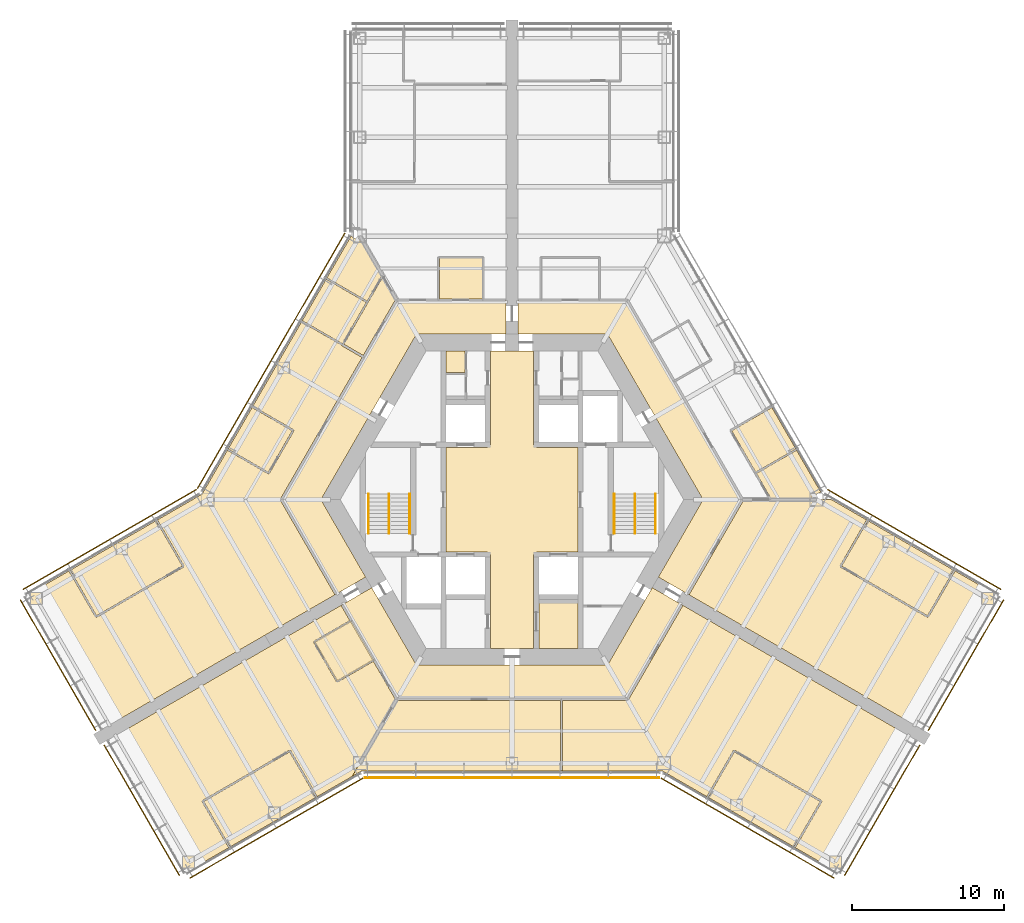
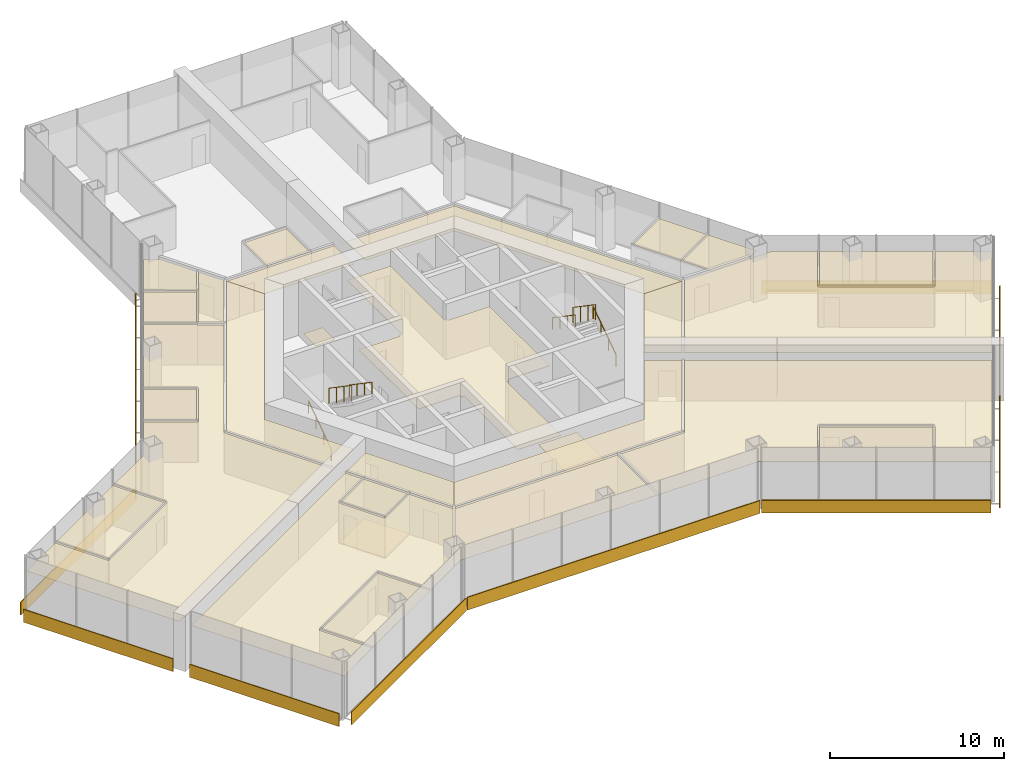
# One storey, part 17 of 18: 27 coverings, 10 shading devices, 6 railings.
"""IFC4 building model written with IfcOpenShell, lengths in metres."""

from ifc_helpers import new_model, si_unit, direction, frame, origin, origin_2d, place, context, subcontext, project, spatial, polyline, rectangle, circle, outline, extrude, material, layer, layer_set, type_object, element, save


model = new_model("IFC4")

# Units and contexts
model_context = context("Model", 3, precision=1e-05, world=origin(), true_north=direction((0.0, 1.0)))
body_context = subcontext(model_context, "Body", "Model", "MODEL_VIEW")
ifc_project = project(units=[si_unit("LENGTHUNIT", "METRE"), si_unit("AREAUNIT", "SQUARE_METRE"), si_unit("VOLUMEUNIT", "CUBIC_METRE"), si_unit("PLANEANGLEUNIT", "RADIAN"), si_unit("MASSUNIT", "GRAM", prefix="KILO")], contexts=[model_context])

# Site, building, storey
site_placement = place(None, origin())
site = spatial("IfcSite", under=ifc_project, at=site_placement, CompositionType="ELEMENT")
building_placement = place(site_placement, origin())
building = spatial("IfcBuilding", under=site, at=building_placement, Name="Kasaneha Research Tower", CompositionType="ELEMENT")
storey_placement = place(building_placement, frame((0.0, 0.0, 69.0)))
storey = spatial("IfcBuildingStorey", under=building, at=storey_placement, Name="L17", CompositionType="ELEMENT", Elevation=69.0)

# Covering
ifc_material_1 = material(Name="Aluminium panel ceiling", Category="aluminium")
ifc_layer_1 = layer(ifc_material_1, 0.0400390625)
ifc_layer_set_1 = layer_set([ifc_layer_1], Name="Lift lobby ceiling 40")
covering_type_1 = type_object("IfcCoveringType", Name="Lift lobby ceiling 40", PredefinedType="CEILING", material=ifc_layer_set_1)
covering_1_placement = place(storey_placement, frame((0.0, 0.0, 2.699951171875)))
element("IfcCovering", 1, at=covering_1_placement, inside=storey, type_object=covering_type_1, Name="Ceiling L17-01", PredefinedType="CEILING", context=body_context, shape_type="SweptSolid", body=[
    extrude(outline(polyline([(1.425048828125, 9.77490234375), (1.425048828125, 3.60009765625), (1.60009765625, 3.60009765625), (1.60009765625, 3.425048828125), (4.324951171875, 3.425048828125), (4.324951171875, -3.425048828125), (1.60009765625, -3.425048828125), (1.60009765625, -3.60009765625), (1.425048828125, -3.60009765625), (1.425048828125, -9.77490234375), (-1.425048828125, -9.77490234375), (-1.425048828125, -3.60009765625), (-1.60009765625, -3.60009765625), (-1.60009765625, -3.425048828125), (-4.324951171875, -3.425048828125), (-4.324951171875, 3.425048828125), (-1.60009765625, 3.425048828125), (-1.60009765625, 3.60009765625), (-1.425048828125, 3.60009765625), (-1.425048828125, 9.77490234375), (1.425048828125, 9.77490234375)])), origin(), (0.0, 0.0, 1.0), 0.0400390625),
])

# Railings
ifc_material_2 = material(Name="Steel", Category="steel")
railing_type_1 = type_object("IfcRailingType", Name="Stair balustrade 1100", PredefinedType="GUARDRAIL", material=ifc_material_2)
for number, where, name in (
    (2, (8.074951171875, 0.375, 2.127197265625), "Stair 1 balustrade L17"),
    (3, (-8.074951171875, 0.375, 2.127197265625), "Stair 2 balustrade L17"),
):
    element("IfcRailing", number, at=place(storey_placement, frame(where)), inside=storey, type_object=railing_type_1, Name=name, PredefinedType="GUARDRAIL", context=body_context, shape_type="SweptSolid", body=[
        extrude(circle(Radius=0.02392578125, at=origin_2d()), frame((0.0, 0.0, 1.076171875), z_axis=(0.0, -0.826240473404, 0.563317565952), x_axis=(1.0, 0.0, 0.0)), (0.0, 0.0, 1.0), 3.14697265625),
        extrude(circle(Radius=0.02099609375, at=origin_2d()), origin(), (0.0, 0.0, 1.0), 1.052001953125),
        extrude(circle(Radius=0.02099609375, at=origin_2d()), frame((0.0, -0.86669921875, 0.5908203125)), (0.0, 0.0, 1.0), 1.052001953125),
        extrude(circle(Radius=0.02099609375, at=origin_2d()), frame((0.0, -1.7333984375, 1.181884765625)), (0.0, 0.0, 1.0), 1.052001953125),
        extrude(circle(Radius=0.02099609375, at=origin_2d()), frame((0.0, -2.60009765625, 1.772705078125)), (0.0, 0.0, 1.0), 1.052001953125),
    ])
ifc_material_3 = material(Name="Steel", Category="steel")
railing_type_2 = type_object("IfcRailingType", Name="Stair handrail 850", PredefinedType="HANDRAIL", material=ifc_material_3)
railing_1_placement = place(storey_placement, frame((9.425048828125, -2.22509765625, 0.17724609375)))
element("IfcRailing", 4, at=railing_1_placement, inside=storey, type_object=railing_type_2, Name="Stair 1 handrail L17", PredefinedType="HANDRAIL", context=body_context, shape_type="SweptSolid", body=[
    extrude(circle(Radius=0.02392578125, at=origin_2d()), frame((0.0, 0.0, 0.826171875), z_axis=(0.0, 0.826240473404, 0.563317565952), x_axis=(-1.0, 0.0, 0.0)), (0.0, 0.0, 1.0), 3.14697265625),
    extrude(circle(Radius=0.02099609375, at=origin_2d()), origin(), (0.0, 0.0, 1.0), 0.802001953125),
    extrude(circle(Radius=0.02099609375, at=origin_2d()), frame((0.0, 0.86669921875, 0.5908203125)), (0.0, 0.0, 1.0), 0.802001953125),
    extrude(circle(Radius=0.02099609375, at=origin_2d()), frame((0.0, 1.7333984375, 1.181884765625)), (0.0, 0.0, 1.0), 0.802001953125),
    extrude(circle(Radius=0.02099609375, at=origin_2d()), frame((0.0, 2.60009765625, 1.772705078125)), (0.0, 0.0, 1.0), 0.802001953125),
])
railing_2_placement = place(storey_placement, frame((6.72509765625, 0.375, 2.127197265625)))
element("IfcRailing", 5, at=railing_2_placement, inside=storey, type_object=railing_type_2, Name="Stair 1 handrail L17", PredefinedType="HANDRAIL", context=body_context, shape_type="SweptSolid", body=[
    extrude(circle(Radius=0.02392578125, at=origin_2d()), frame((0.0, 0.0, 0.826171875), z_axis=(0.0, -0.826240473404, 0.563317565952), x_axis=(1.0, 0.0, 0.0)), (0.0, 0.0, 1.0), 3.14697265625),
    extrude(circle(Radius=0.02099609375, at=origin_2d()), origin(), (0.0, 0.0, 1.0), 0.802001953125),
    extrude(circle(Radius=0.02099609375, at=origin_2d()), frame((0.0, -0.86669921875, 0.5908203125)), (0.0, 0.0, 1.0), 0.802001953125),
    extrude(circle(Radius=0.02099609375, at=origin_2d()), frame((0.0, -1.7333984375, 1.181884765625)), (0.0, 0.0, 1.0), 0.802001953125),
    extrude(circle(Radius=0.02099609375, at=origin_2d()), frame((0.0, -2.60009765625, 1.772705078125)), (0.0, 0.0, 1.0), 0.802001953125),
])
railing_3_placement = place(storey_placement, frame((-9.425048828125, -2.22509765625, 0.17724609375)))
element("IfcRailing", 6, at=railing_3_placement, inside=storey, type_object=railing_type_2, Name="Stair 2 handrail L17", PredefinedType="HANDRAIL", context=body_context, shape_type="SweptSolid", body=[
    extrude(circle(Radius=0.02392578125, at=origin_2d()), frame((0.0, 0.0, 0.826171875), z_axis=(0.0, 0.826240473404, 0.563317565952), x_axis=(-1.0, 0.0, 0.0)), (0.0, 0.0, 1.0), 3.14697265625),
    extrude(circle(Radius=0.02099609375, at=origin_2d()), origin(), (0.0, 0.0, 1.0), 0.802001953125),
    extrude(circle(Radius=0.02099609375, at=origin_2d()), frame((0.0, 0.86669921875, 0.5908203125)), (0.0, 0.0, 1.0), 0.802001953125),
    extrude(circle(Radius=0.02099609375, at=origin_2d()), frame((0.0, 1.7333984375, 1.181884765625)), (0.0, 0.0, 1.0), 0.802001953125),
    extrude(circle(Radius=0.02099609375, at=origin_2d()), frame((0.0, 2.60009765625, 1.772705078125)), (0.0, 0.0, 1.0), 0.802001953125),
])
railing_4_placement = place(storey_placement, frame((-6.72509765625, 0.375, 2.127197265625)))
element("IfcRailing", 7, at=railing_4_placement, inside=storey, type_object=railing_type_2, Name="Stair 2 handrail L17", PredefinedType="HANDRAIL", context=body_context, shape_type="SweptSolid", body=[
    extrude(circle(Radius=0.02392578125, at=origin_2d()), frame((0.0, 0.0, 0.826171875), z_axis=(0.0, -0.826240473404, 0.563317565952), x_axis=(1.0, 0.0, 0.0)), (0.0, 0.0, 1.0), 3.14697265625),
    extrude(circle(Radius=0.02099609375, at=origin_2d()), origin(), (0.0, 0.0, 1.0), 0.802001953125),
    extrude(circle(Radius=0.02099609375, at=origin_2d()), frame((0.0, -0.86669921875, 0.5908203125)), (0.0, 0.0, 1.0), 0.802001953125),
    extrude(circle(Radius=0.02099609375, at=origin_2d()), frame((0.0, -1.7333984375, 1.181884765625)), (0.0, 0.0, 1.0), 0.802001953125),
    extrude(circle(Radius=0.02099609375, at=origin_2d()), frame((0.0, -2.60009765625, 1.772705078125)), (0.0, 0.0, 1.0), 0.802001953125),
])

# Coverings
ifc_material_4 = material(Name="Gypsum ceiling board", Category="gypsum")
ifc_layer_2 = layer(ifc_material_4, 0.02001953125)
ifc_layer_set_2 = layer_set([ifc_layer_2], Name="Suspended ceiling 20")
covering_type_2 = type_object("IfcCoveringType", Name="Suspended ceiling 20", PredefinedType="CEILING", material=ifc_layer_set_2)
covering_2_placement = place(storey_placement, frame((0.0, 0.0, 2.800048828125)))
element("IfcCovering", 8, at=covering_2_placement, inside=storey, type_object=covering_type_2, Name="Ceiling L17-27", PredefinedType="CEILING", context=body_context, shape_type="SweptSolid", body=[
    extrude(outline(polyline([(6.278564453125, 10.875), (0.39990234375, 10.875), (0.39990234375, 11.72509765625), (0.39990234375, 12.72509765625), (0.39990234375, 13.125), (0.419921875, 13.125), (0.419921875, 13.050048828125), (1.89501953125, 13.050048828125), (1.904541015625, 13.050048828125), (5.75244140625, 13.050048828125), (5.761962890625, 13.050048828125), (7.534423828125, 13.050048828125), (9.103759765625, 10.33154296875), (9.103759765625, 10.33154296875), (10.599365234375, 7.7412109375), (10.599365234375, 7.7412109375), (15.06884765625, 0.0), (12.557373046875, 0.0), (6.278564453125, 10.875)])), origin(), (0.0, 0.0, 1.0), 0.02001953125),
])
covering_3_placement = place(storey_placement, frame((0.0, 0.0, 2.800048828125)))
element("IfcCovering", 9, at=covering_3_placement, inside=storey, type_object=covering_type_2, Name="Ceiling L17-32", PredefinedType="CEILING", context=body_context, shape_type="SweptSolid", body=[
    extrude(outline(polyline([(18.679443359375, 3.287353515625), (18.662109375, 3.27734375), (18.63720703125, 3.320556640625), (16.0146484375, 1.812255859375), (14.43994140625, 4.530517578125), (17.081298828125, 6.055419921875), (17.05615234375, 6.098876953125), (17.05615234375, 6.098876953125), (18.679443359375, 3.287353515625)])), origin(), (0.0, 0.0, 1.0), 0.02001953125),
])
covering_4_placement = place(storey_placement, frame((0.0, 0.0, 2.800048828125)))
element("IfcCovering", 10, at=covering_4_placement, inside=storey, type_object=covering_type_2, Name="Ceiling L17-33", PredefinedType="CEILING", context=body_context, shape_type="SweptSolid", body=[
    extrude(outline(polyline([(20.28759765625, 0.501708984375), (19.41845703125, 0.0), (16.997802734375, 0.0), (16.986328125, 0.02001953125), (17.029541015625, 0.044921875), (16.064697265625, 1.7255859375), (18.68701171875, 3.23388671875), (18.662109375, 3.27734375), (18.679443359375, 3.287353515625), (20.28759765625, 0.501708984375)])), origin(), (0.0, 0.0, 1.0), 0.02001953125),
])
covering_5_placement = place(storey_placement, frame((0.0, 0.0, 2.800048828125)))
element("IfcCovering", 11, at=covering_5_placement, inside=storey, type_object=covering_type_2, Name="Ceiling L17-35", PredefinedType="CEILING", context=body_context, shape_type="SweptSolid", body=[
    extrude(outline(polyline([(-0.39990234375, 11.72509765625), (-0.39990234375, 10.875), (-6.278564453125, 10.875), (-7.534423828125, 13.050048828125), (-4.833984375, 13.050048828125), (-4.824462890625, 13.050048828125), (-1.904541015625, 13.050048828125), (-1.89501953125, 13.050048828125), (-0.419921875, 13.050048828125), (-0.419921875, 13.125), (-0.39990234375, 13.125), (-0.39990234375, 12.72509765625), (-0.39990234375, 11.72509765625)])), origin(), (0.0, 0.0, 1.0), 0.02001953125),
])
covering_6_placement = place(storey_placement, frame((0.0, 0.0, 2.800048828125)))
element("IfcCovering", 12, at=covering_6_placement, inside=storey, type_object=covering_type_2, Name="Ceiling L17-36", PredefinedType="CEILING", context=body_context, shape_type="SweptSolid", body=[
    extrude(outline(polyline([(-4.77880859375, 15.875), (-1.9501953125, 15.875), (-1.954345703125, 13.199951171875), (-4.774658203125, 13.199951171875), (-4.77880859375, 15.875)])), origin(), (0.0, 0.0, 1.0), 0.02001953125),
])
covering_7_placement = place(storey_placement, frame((0.0, 0.0, 2.800048828125)))
element("IfcCovering", 13, at=covering_7_placement, inside=storey, type_object=covering_type_2, Name="Ceiling L17-40", PredefinedType="CEILING", context=body_context, shape_type="SweptSolid", body=[
    extrude(outline(polyline([(-12.557373046875, 0.0), (-9.617919921875, -5.091064453125), (-11.566650390625, -6.216064453125), (-11.57666015625, -6.19873046875), (-11.51171875, -6.161376953125), (-15.06884765625, 0.0), (-9.676025390625, 9.3408203125), (-9.676025390625, 9.3408203125), (-7.534423828125, 13.050048828125), (-7.534423828125, 13.050048828125), (-6.278564453125, 10.875), (-12.557373046875, 0.0)])), origin(), (0.0, 0.0, 1.0), 0.02001953125),
])
covering_8_placement = place(storey_placement, frame((0.0, 0.0, 2.800048828125)))
element("IfcCovering", 14, at=covering_8_placement, inside=storey, type_object=covering_type_2, Name="Ceiling L17-41", PredefinedType="CEILING", context=body_context, shape_type="SweptSolid", body=[
    extrude(outline(polyline([(-23.34228515625, -1.352294921875), (-23.332275390625, -1.36962890625), (-23.37548828125, -1.39453125), (-21.660400390625, -4.364990234375), (-27.306640625, -7.625), (-29.03173828125, -4.63720703125), (-23.34228515625, -1.352294921875)])), origin(), (0.0, 0.0, 1.0), 0.02001953125),
])
covering_9_placement = place(storey_placement, frame((0.0, 0.0, 2.800048828125)))
element("IfcCovering", 15, at=covering_9_placement, inside=storey, type_object=covering_type_2, Name="Ceiling L17-42", PredefinedType="CEILING", context=body_context, shape_type="SweptSolid", body=[
    extrude(outline(polyline([(-12.211669921875, 14.489990234375), (-9.57666015625, 12.962890625), (-11.14501953125, 10.246337890625), (-13.767578125, 11.755126953125), (-13.79248046875, 11.711669921875), (-13.809814453125, 11.7216796875), (-12.211669921875, 14.489990234375)])), origin(), (0.0, 0.0, 1.0), 0.02001953125),
])
covering_10_placement = place(storey_placement, frame((0.0, 0.0, 2.800048828125)))
element("IfcCovering", 16, at=covering_10_placement, inside=storey, type_object=covering_type_2, Name="Ceiling L17-43", PredefinedType="CEILING", context=body_context, shape_type="SweptSolid", body=[
    extrude(outline(polyline([(-17.05615234375, 6.098876953125), (-17.05615234375, 6.098876953125), (-17.081298828125, 6.055419921875), (-14.439697265625, 4.530517578125), (-16.012939453125, 1.8056640625), (-18.63720703125, 3.320556640625), (-18.662109375, 3.27734375), (-18.679443359375, 3.287353515625), (-17.05615234375, 6.098876953125)])), origin(), (0.0, 0.0, 1.0), 0.02001953125),
])
covering_11_placement = place(storey_placement, frame((0.0, 0.0, 2.800048828125)))
element("IfcCovering", 17, at=covering_11_placement, inside=storey, type_object=covering_type_2, Name="Ceiling L17-44", PredefinedType="CEILING", context=body_context, shape_type="SweptSolid", body=[
    extrude(outline(polyline([(-10.578369140625, 17.318603515625), (-9.709228515625, 16.81689453125), (-8.498779296875, 14.720458984375), (-8.510498046875, 14.700439453125), (-8.5537109375, 14.7255859375), (-9.5263671875, 13.049560546875), (-12.16162109375, 14.576416015625), (-12.1865234375, 14.533203125), (-12.1865234375, 14.533203125), (-10.578369140625, 17.318603515625)])), origin(), (0.0, 0.0, 1.0), 0.02001953125),
])
covering_12_placement = place(storey_placement, frame((0.0, 0.0, 2.800048828125)))
element("IfcCovering", 18, at=covering_12_placement, inside=storey, type_object=covering_type_2, Name="Ceiling L17-45", PredefinedType="CEILING", context=body_context, shape_type="SweptSolid", body=[
    extrude(outline(polyline([(-15.15576171875, -0.000244140625), (-15.220458984375, -0.03759765625), (-11.6416015625, -6.236328125), (-11.576904296875, -6.198974609375), (-11.567138671875, -6.21630859375), (-26.891357421875, -15.063720703125), (-31.94140625, -6.31689453125), (-29.118408203125, -4.68701171875), (-27.368408203125, -7.71826171875), (-27.3251953125, -7.693359375), (-27.324951171875, -7.693603515625), (-27.32470703125, -7.693603515625), (-27.300048828125, -7.736572265625), (-21.567138671875, -4.4267578125), (-21.592041015625, -4.3837890625), (-21.592041015625, -4.3837890625), (-21.592041015625, -4.38330078125), (-21.548828125, -4.3583984375), (-23.288818359375, -1.344482421875), (-23.331787109375, -1.369384765625), (-23.341796875, -1.35205078125), (-20.365966796875, 0.365966796875), (-18.6796875, 3.286865234375), (-18.662353515625, 3.27685546875), (-18.68701171875, 3.23388671875), (-16.019775390625, 1.694091796875), (-15.99462890625, 1.7373046875), (-15.994384765625, 1.737060546875), (-15.994384765625, 1.737060546875), (-15.951416015625, 1.71240234375), (-14.328125, 4.523681640625), (-14.37109375, 4.548583984375), (-14.37109375, 4.548828125), (-14.371337890625, 4.549072265625), (-14.346435546875, 4.592041015625), (-17.03125, 6.14208984375), (-17.055908203125, 6.09912109375), (-17.055908203125, 6.09912109375), (-13.81005859375, 11.72119140625), (-13.792724609375, 11.711181640625), (-13.8173828125, 11.66845703125), (-11.151611328125, 10.135009765625), (-11.166748046875, 10.10888671875), (-9.84814453125, 9.34228515625), (-15.220458984375, 0.03759765625), (-15.15576171875, 0.000244140625), (-15.156005859375, 0.0), (-15.15576171875, -0.000244140625)])), origin(), (0.0, 0.0, 1.0), 0.02001953125),
])
covering_13_placement = place(storey_placement, frame((0.0, 0.0, 2.800048828125)))
element("IfcCovering", 19, at=covering_13_placement, inside=storey, type_object=covering_type_2, Name="Ceiling L17-46", PredefinedType="CEILING", context=body_context, shape_type="SweptSolid", body=[
    extrude(outline(polyline([(-7.577880859375, 13.12548828125), (-7.589599609375, 13.105224609375), (-7.654296875, 13.142578125), (-9.773193359375, 9.472412109375), (-11.04833984375, 10.213623046875), (-9.462646484375, 12.96044921875), (-8.469970703125, 14.67041015625), (-7.577880859375, 13.12548828125)])), origin(), (0.0, 0.0, 1.0), 0.02001953125),
])
covering_14_placement = place(storey_placement, frame((0.0, 0.0, 2.800048828125)))
element("IfcCovering", 20, at=covering_14_placement, inside=storey, type_object=covering_type_2, Name="Ceiling L17-47", PredefinedType="CEILING", context=body_context, shape_type="SweptSolid", body=[
    extrude(outline(polyline([(-9.218017578125, -5.783935546875), (-6.278564453125, -10.875), (-7.534423828125, -13.050048828125), (-7.534423828125, -13.050048828125), (-9.00390625, -10.5048828125), (-9.00390625, -10.5048828125), (-10.49951171875, -7.91455078125), (-10.499267578125, -7.91455078125), (-11.091552734375, -6.888671875), (-11.156494140625, -6.92626953125), (-11.16650390625, -6.908935546875), (-10.85693359375, -6.72998046875), (-9.218017578125, -5.783935546875)])), origin(), (0.0, 0.0, 1.0), 0.02001953125),
])
covering_15_placement = place(storey_placement, frame((0.0, 0.0, 2.800048828125)))
element("IfcCovering", 21, at=covering_15_placement, inside=storey, type_object=covering_type_2, Name="Ceiling L17-48", PredefinedType="CEILING", context=body_context, shape_type="SweptSolid", body=[
    extrude(outline(polyline([(-18.574951171875, -22.8486328125), (-18.5849609375, -22.831298828125), (-18.541748046875, -22.806396484375), (-20.256591796875, -19.835693359375), (-14.610595703125, -16.575927734375), (-12.885498046875, -19.563720703125), (-12.84228515625, -19.538818359375), (-12.84228515625, -19.538818359375), (-18.574951171875, -22.8486328125)])), origin(), (0.0, 0.0, 1.0), 0.02001953125),
])
covering_16_placement = place(storey_placement, frame((0.0, 0.0, 2.800048828125)))
element("IfcCovering", 22, at=covering_16_placement, inside=storey, type_object=covering_type_2, Name="Ceiling L17-49", PredefinedType="CEILING", context=body_context, shape_type="SweptSolid", body=[
    extrude(outline(polyline([(-12.923095703125, -9.366455078125), (-10.604248046875, -8.03271484375), (-9.15869140625, -10.53662109375), (-11.47314453125, -11.8779296875), (-12.923095703125, -9.366455078125)])), origin(), (0.0, 0.0, 1.0), 0.02001953125),
])
covering_17_placement = place(storey_placement, frame((0.0, 0.0, 2.800048828125)))
element("IfcCovering", 23, at=covering_17_placement, inside=storey, type_object=covering_type_2, Name="Ceiling L17-50", PredefinedType="CEILING", context=body_context, shape_type="SweptSolid", body=[
    extrude(outline(polyline([(-12.991943359375, -9.34814453125), (-12.991943359375, -9.348388671875), (-13.034912109375, -9.373046875), (-11.534912109375, -11.97119140625), (-11.491943359375, -11.946533203125), (-11.491943359375, -11.946533203125), (-11.491455078125, -11.9462890625), (-11.46630859375, -11.989501953125), (-9.108642578125, -10.623291015625), (-7.654296875, -13.142578125), (-7.589599609375, -13.105224609375), (-7.577880859375, -13.12548828125), (-10.5, -18.1865234375), (-12.841796875, -19.53857421875), (-12.841796875, -19.53857421875), (-12.798828125, -19.513916015625), (-14.548828125, -16.482666015625), (-14.59228515625, -16.5078125), (-14.6171875, -16.46435546875), (-20.35009765625, -19.774169921875), (-20.3251953125, -19.817138671875), (-20.325439453125, -19.817138671875), (-20.3251953125, -19.817626953125), (-20.368408203125, -19.842529296875), (-18.62841796875, -22.856201171875), (-18.58544921875, -22.83154296875), (-18.575439453125, -22.848876953125), (-21.44140625, -24.50341796875), (-26.491455078125, -15.756591796875), (-15.541259765625, -9.4345703125), (-11.1669921875, -6.9091796875), (-11.156982421875, -6.926513671875), (-11.221435546875, -6.963623046875), (-10.654296875, -7.946044921875), (-13.016357421875, -9.3046875), (-12.99169921875, -9.347900390625), (-12.991943359375, -9.34814453125)])), origin(), (0.0, 0.0, 1.0), 0.02001953125),
])
covering_18_placement = place(storey_placement, frame((0.0, 0.0, 2.800048828125)))
element("IfcCovering", 24, at=covering_18_placement, inside=storey, type_object=covering_type_2, Name="Ceiling L17-51", PredefinedType="CEILING", context=body_context, shape_type="SweptSolid", body=[
    extrude(outline(polyline([(15.06884765625, 0.0), (15.06884765625, 0.0), (11.51171875, -6.161376953125), (11.57666015625, -6.19873046875), (11.566650390625, -6.216064453125), (9.617919921875, -5.091064453125), (12.557373046875, 0.0), (15.06884765625, 0.0)])), origin(), (0.0, 0.0, 1.0), 0.02001953125),
])
covering_19_placement = place(storey_placement, frame((0.0, 0.0, 2.800048828125)))
element("IfcCovering", 25, at=covering_19_placement, inside=storey, type_object=covering_type_2, Name="Ceiling L17-52", PredefinedType="CEILING", context=body_context, shape_type="SweptSolid", body=[
    extrude(outline(polyline([(29.03173828125, -4.63720703125), (27.306640625, -7.625), (21.660400390625, -4.364990234375), (23.37548828125, -1.39453125), (23.332275390625, -1.36962890625), (23.34228515625, -1.352294921875), (29.03173828125, -4.63720703125)])), origin(), (0.0, 0.0, 1.0), 0.02001953125),
])
covering_20_placement = place(storey_placement, frame((0.0, 0.0, 2.800048828125)))
element("IfcCovering", 26, at=covering_20_placement, inside=storey, type_object=covering_type_2, Name="Ceiling L17-53", PredefinedType="CEILING", context=body_context, shape_type="SweptSolid", body=[
    extrude(outline(polyline([(16.93994140625, 0.0), (16.94287109375, -0.0048828125), (16.951416015625, 0.0), (21.0, 0.0), (23.341796875, -1.35205078125), (23.331787109375, -1.369384765625), (23.288818359375, -1.344482421875), (21.548828125, -4.3583984375), (21.592041015625, -4.38330078125), (21.591796875, -4.3837890625), (21.592041015625, -4.3837890625), (21.567138671875, -4.4267578125), (27.300048828125, -7.736572265625), (27.324951171875, -7.693115234375), (27.368408203125, -7.71826171875), (29.118408203125, -4.68701171875), (31.94140625, -6.31689453125), (26.891357421875, -15.063720703125), (11.567138671875, -6.21630859375), (11.576904296875, -6.198974609375), (11.6416015625, -6.236328125), (15.208740234375, -0.0576171875), (15.144287109375, -0.020263671875), (15.156005859375, 0.0), (16.93994140625, 0.0)])), origin(), (0.0, 0.0, 1.0), 0.02001953125),
])
covering_21_placement = place(storey_placement, frame((0.0, 0.0, 2.800048828125)))
element("IfcCovering", 27, at=covering_21_placement, inside=storey, type_object=covering_type_2, Name="Ceiling L17-54", PredefinedType="CEILING", context=body_context, shape_type="SweptSolid", body=[
    extrude(outline(polyline([(-6.278564453125, -10.875), (6.278564453125, -10.875), (9.218017578125, -5.783935546875), (10.85693359375, -6.72998046875), (11.16650390625, -6.908935546875), (11.156494140625, -6.92626953125), (11.091552734375, -6.888671875), (7.534423828125, -13.050048828125), (3.25146484375, -13.050048828125), (3.241455078125, -13.050048828125), (-7.534423828125, -13.050048828125), (-6.278564453125, -10.875)])), origin(), (0.0, 0.0, 1.0), 0.02001953125),
])
covering_22_placement = place(storey_placement, frame((0.0, 0.0, 2.800048828125)))
element("IfcCovering", 28, at=covering_22_placement, inside=storey, type_object=covering_type_2, Name="Ceiling L17-55", PredefinedType="CEILING", context=body_context, shape_type="SweptSolid", body=[
    extrude(outline(polyline([(12.84228515625, -19.538818359375), (12.84228515625, -19.538818359375), (12.885498046875, -19.563720703125), (14.610595703125, -16.575927734375), (20.256591796875, -19.835693359375), (18.541748046875, -22.806396484375), (18.5849609375, -22.831298828125), (18.574951171875, -22.8486328125), (12.84228515625, -19.538818359375)])), origin(), (0.0, 0.0, 1.0), 0.02001953125),
])
covering_23_placement = place(storey_placement, frame((0.0, 0.0, 2.800048828125)))
element("IfcCovering", 29, at=covering_23_placement, inside=storey, type_object=covering_type_2, Name="Ceiling L17-56", PredefinedType="CEILING", context=body_context, shape_type="SweptSolid", body=[
    extrude(outline(polyline([(7.578125, -13.125244140625), (7.642578125, -13.16259765625), (11.221435546875, -6.963623046875), (11.156982421875, -6.926513671875), (11.1669921875, -6.9091796875), (15.541259765625, -9.4345703125), (26.491455078125, -15.756591796875), (21.44140625, -24.50341796875), (18.575439453125, -22.848876953125), (18.58544921875, -22.83154296875), (18.62841796875, -22.856201171875), (20.368408203125, -19.842529296875), (20.3251953125, -19.817626953125), (20.325439453125, -19.817138671875), (20.3251953125, -19.817138671875), (20.35009765625, -19.774169921875), (14.6171875, -16.46435546875), (14.592529296875, -16.50732421875), (14.59228515625, -16.50732421875), (14.592041015625, -16.507568359375), (14.548828125, -16.482666015625), (12.798828125, -19.513916015625), (12.841796875, -19.53857421875), (12.841796875, -19.53857421875), (9.865966796875, -17.820556640625), (3.246337890625, -17.820556640625), (3.246337890625, -17.800537109375), (3.3212890625, -17.800537109375), (3.326416015625, -13.199951171875), (7.57763671875, -13.199951171875), (7.57763671875, -13.12548828125), (7.578125, -13.12548828125), (7.578125, -13.125244140625)])), origin(), (0.0, 0.0, 1.0), 0.02001953125),
])
covering_24_placement = place(storey_placement, frame((0.0, 0.0, 2.800048828125)))
element("IfcCovering", 30, at=covering_24_placement, inside=storey, type_object=covering_type_2, Name="Ceiling L17-57", PredefinedType="CEILING", context=body_context, shape_type="SweptSolid", body=[
    extrude(outline(polyline([(-7.577880859375, -13.12548828125), (-7.5546875, -13.12548828125), (-7.5546875, -13.199951171875), (3.17626953125, -13.199951171875), (3.17138671875, -17.800537109375), (3.246337890625, -17.800537109375), (3.246337890625, -17.820556640625), (-9.865966796875, -17.820556640625), (-10.5, -18.1865234375), (-7.577880859375, -13.12548828125)])), origin(), (0.0, 0.0, 1.0), 0.02001953125),
])

# Shading devices
ifc_material_5 = material(Name="Terracotta", Category="masonry")
ifc_layer_3 = layer(ifc_material_5, 0.06005859375)
ifc_layer_set_3 = layer_set([ifc_layer_3], Name="Terracotta baguette screen")
shading_device_type = type_object("IfcShadingDeviceType", Name="Terracotta baguette screen", PredefinedType="USERDEFINED", material=ifc_layer_set_3)
shading_device_1_placement = place(storey_placement, frame((-15.483642578125, -21.58349609375, -0.449951171875), z_axis=(0.0, 0.0, 1.0), x_axis=(0.866025411464, 0.499999986699, 0.0)))
element("IfcShadingDevice", 31, at=shading_device_1_placement, inside=storey, type_object=shading_device_type, Name="Baguette screen L17 01", ObjectType="TERRACOTTA BAGUETTE SCREEN", PredefinedType="USERDEFINED", context=body_context, shape_type="SweptSolid", body=[
    extrude(rectangle(XDim=13.13916015625, YDim=0.06005859375, at=origin_2d()), origin(), (0.0, 0.0, 1.0), 0.89990234375),
])
shading_device_2_placement = place(storey_placement, frame((0.0, -18.2705078125, -0.449951171875), z_axis=(0.0, 0.0, 1.0), x_axis=(1.0, 0.0, 0.0)))
element("IfcShadingDevice", 32, at=shading_device_2_placement, inside=storey, type_object=shading_device_type, Name="Baguette screen L17 02", ObjectType="TERRACOTTA BAGUETTE SCREEN", PredefinedType="USERDEFINED", context=body_context, shape_type="SweptSolid", body=[
    extrude(rectangle(XDim=19.37841796875, YDim=0.06005859375, at=origin_2d()), origin(), (0.0, 0.0, 1.0), 0.89990234375),
])
shading_device_3_placement = place(storey_placement, frame((15.483642578125, -21.58349609375, -0.449951171875), z_axis=(0.0, 0.0, 1.0), x_axis=(0.866025411464, -0.499999986699, 0.0)))
element("IfcShadingDevice", 33, at=shading_device_3_placement, inside=storey, type_object=shading_device_type, Name="Baguette screen L17 03", ObjectType="TERRACOTTA BAGUETTE SCREEN", PredefinedType="USERDEFINED", context=body_context, shape_type="SweptSolid", body=[
    extrude(rectangle(XDim=13.13916015625, YDim=0.06005859375, at=origin_2d()), origin(), (0.0, 0.0, 1.0), 0.89990234375),
])
for number, where, z_axis, x_axis, name in (
    (34, (24.3310546875, -20.3984375, -0.449951171875), (0.0, 0.0, 1.0), (0.500000011442, 0.866025397178, 0.0), "Baguette screen L17 04"),
    (35, (29.8310546875, -10.8720703125, -0.449951171875), (0.0, 0.0, 1.0), (0.500000011442, 0.866025397178, 0.0), "Baguette screen L17 05"),
):
    element("IfcShadingDevice", number, at=place(storey_placement, frame(where, z_axis=z_axis, x_axis=x_axis)), inside=storey, type_object=shading_device_type, Name=name, ObjectType="TERRACOTTA BAGUETTE SCREEN", PredefinedType="USERDEFINED", context=body_context, shape_type="SweptSolid", body=[
        extrude(rectangle(XDim=9.89990234375, YDim=0.06005859375, at=origin_2d()), origin(), (0.0, 0.0, 1.0), 0.89990234375),
    ])
shading_device_4_placement = place(storey_placement, frame((26.43359375, -2.617431640625, -0.449951171875), z_axis=(0.0, 0.0, 1.0), x_axis=(-0.866025411464, 0.499999986699, 0.0)))
element("IfcShadingDevice", 36, at=shading_device_4_placement, inside=storey, type_object=shading_device_type, Name="Baguette screen L17 06", ObjectType="TERRACOTTA BAGUETTE SCREEN", PredefinedType="USERDEFINED", context=body_context, shape_type="SweptSolid", body=[
    extrude(rectangle(XDim=13.13916015625, YDim=0.06005859375, at=origin_2d()), origin(), (0.0, 0.0, 1.0), 0.89990234375),
])
shading_device_5_placement = place(storey_placement, frame((-15.82275390625, 9.13525390625, -0.449951171875), z_axis=(0.0, 0.0, 1.0), x_axis=(-0.49999996188, -0.866025425793, 0.0)))
element("IfcShadingDevice", 37, at=shading_device_5_placement, inside=storey, type_object=shading_device_type, Name="Baguette screen L17 12", ObjectType="TERRACOTTA BAGUETTE SCREEN", PredefinedType="USERDEFINED", context=body_context, shape_type="SweptSolid", body=[
    extrude(rectangle(XDim=19.37841796875, YDim=0.06005859375, at=origin_2d()), origin(), (0.0, 0.0, 1.0), 0.89990234375),
])
shading_device_6_placement = place(storey_placement, frame((-26.43359375, -2.617431640625, -0.449951171875), z_axis=(0.0, 0.0, 1.0), x_axis=(-0.866025411464, -0.499999986699, 0.0)))
element("IfcShadingDevice", 38, at=shading_device_6_placement, inside=storey, type_object=shading_device_type, Name="Baguette screen L17 13", ObjectType="TERRACOTTA BAGUETTE SCREEN", PredefinedType="USERDEFINED", context=body_context, shape_type="SweptSolid", body=[
    extrude(rectangle(XDim=13.13916015625, YDim=0.06005859375, at=origin_2d()), origin(), (0.0, 0.0, 1.0), 0.89990234375),
])
for number, where, z_axis, x_axis, name in (
    (39, (-29.8310546875, -10.8720703125, -0.449951171875), (0.0, 0.0, 1.0), (0.500000011442, -0.866025397178, 0.0), "Baguette screen L17 14"),
    (40, (-24.3310546875, -20.3984375, -0.449951171875), (0.0, 0.0, 1.0), (0.500000011442, -0.866025397178, 0.0), "Baguette screen L17 15"),
):
    element("IfcShadingDevice", number, at=place(storey_placement, frame(where, z_axis=z_axis, x_axis=x_axis)), inside=storey, type_object=shading_device_type, Name=name, ObjectType="TERRACOTTA BAGUETTE SCREEN", PredefinedType="USERDEFINED", context=body_context, shape_type="SweptSolid", body=[
        extrude(rectangle(XDim=9.89990234375, YDim=0.06005859375, at=origin_2d()), origin(), (0.0, 0.0, 1.0), 0.89990234375),
    ])

# Coverings
ifc_material_6 = material(Name="Vinyl sheet flooring", Category="plastic")
ifc_layer_4 = layer(ifc_material_6, 0.0048828125)
ifc_layer_set_4 = layer_set([ifc_layer_4], Name="Wet room sheet flooring 5")
covering_type_3 = type_object("IfcCoveringType", Name="Wet room sheet flooring 5", PredefinedType="FLOORING", material=ifc_layer_set_4)
covering_25_placement = place(storey_placement, origin())
element("IfcCovering", 41, at=covering_25_placement, inside=storey, type_object=covering_type_3, Name="Floor finish L17-07", PredefinedType="FLOORING", context=body_context, shape_type="SweptSolid", body=[
    extrude(outline(polyline([(-4.324951171875, 8.35498046875), (-4.324951171875, 9.77490234375), (-3.074951171875, 9.77490234375), (-3.074951171875, 8.35498046875), (-4.324951171875, 8.35498046875)])), origin(), (0.0, 0.0, 1.0), 0.0048828125),
])
covering_26_placement = place(storey_placement, origin())
element("IfcCovering", 42, at=covering_26_placement, inside=storey, type_object=covering_type_3, Name="Floor finish L17-13", PredefinedType="FLOORING", context=body_context, shape_type="SweptSolid", body=[
    extrude(outline(polyline([(1.77490234375, -9.77490234375), (1.77490234375, -6.574951171875), (4.324951171875, -6.574951171875), (4.324951171875, -9.77490234375), (1.77490234375, -9.77490234375)])), origin(), (0.0, 0.0, 1.0), 0.0048828125),
])
covering_27_placement = place(storey_placement, origin())
element("IfcCovering", 43, at=covering_27_placement, inside=storey, type_object=covering_type_3, Name="Floor finish L17-49", PredefinedType="FLOORING", context=body_context, shape_type="SweptSolid", body=[
    extrude(outline(polyline([(-11.491455078125, -11.9462890625), (-12.991455078125, -9.34814453125), (-10.566650390625, -7.9482421875), (-9.066650390625, -10.546142578125), (-11.491455078125, -11.9462890625)])), origin(), (0.0, 0.0, 1.0), 0.0048828125),
])

save(model, "model.ifc")
